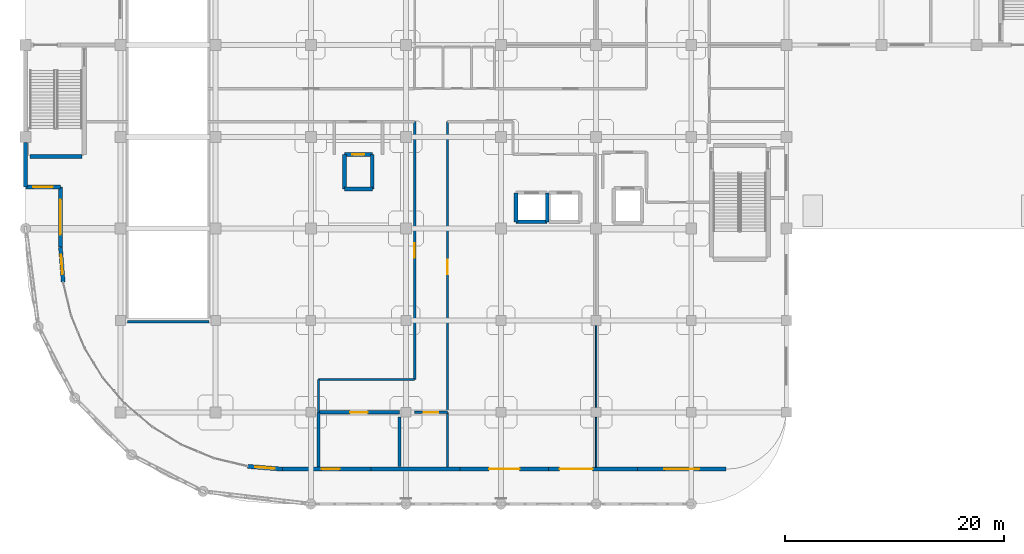
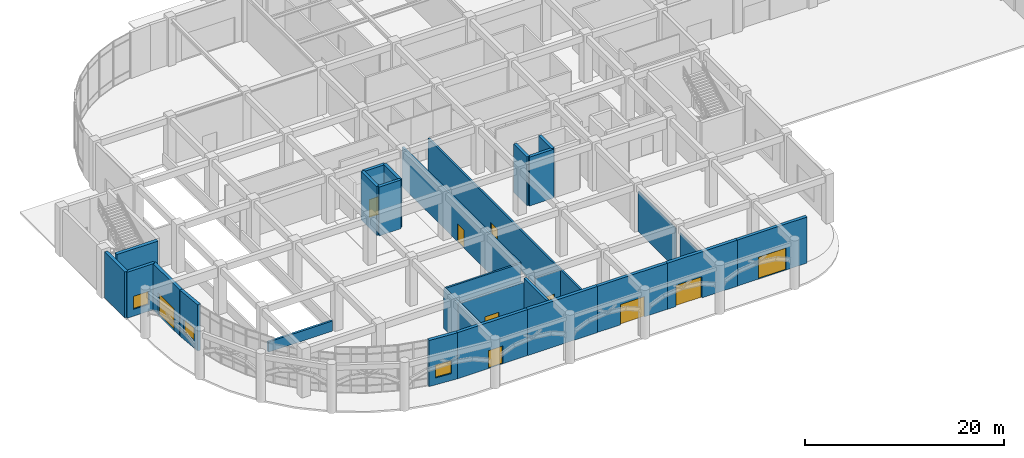
# One storey, part 60 of 82: 30 walls, 10 doors, 3 windows, 13 openings.
"""IFC4 building model written with IfcOpenShell, lengths in metres."""

from ifc_helpers import new_model, si_unit, derived_unit, direction, frame, frame_2d, origin, place, context, subcontext, project, spatial, rectangle, extrude, material, layer, layer_set, type_object, element, fill, save


model = new_model("IFC4")

# Units and contexts
model_context = context("Model", 3, precision=1e-05, world=origin(), true_north=direction((0.0, 1.0)))
body_context = subcontext(model_context, "Body", "Model", "MODEL_VIEW")
ifc_project = project(units=[si_unit("LENGTHUNIT", "METRE"), si_unit("AREAUNIT", "SQUARE_METRE"), si_unit("VOLUMEUNIT", "CUBIC_METRE"), si_unit("PLANEANGLEUNIT", "RADIAN"), si_unit("MASSUNIT", "GRAM", prefix="KILO"), derived_unit("THERMALTRANSMITTANCEUNIT", [(si_unit("MASSUNIT", "GRAM", prefix="KILO"), 1), (si_unit("TIMEUNIT", "SECOND"), -3), (si_unit("THERMODYNAMICTEMPERATUREUNIT", "KELVIN"), -1)])], contexts=[model_context])

# Site, building, storey
site_placement = place(None, origin())
site = spatial("IfcSite", under=ifc_project, at=site_placement, CompositionType="ELEMENT")
building_placement = place(site_placement, origin())
building = spatial("IfcBuilding", under=site, at=building_placement, Name="Qinzheling Arcade Emporium", CompositionType="ELEMENT")
storey_placement = place(building_placement, origin())
storey = spatial("IfcBuildingStorey", under=building, at=storey_placement, Name="L01", CompositionType="ELEMENT", Elevation=0.0)

# Walls
ifc_material_1 = material(Name="Double-stud acoustic gypsum board partition")
ifc_layer_1 = layer(ifc_material_1, 0.215087890625, Name="Double-stud acoustic gypsum board partition")
ifc_layer_set_1 = layer_set([ifc_layer_1], Name="Double-stud acoustic gypsum board partition")
wall_type_1 = type_object("IfcWallType", Name="Acoustic Corridor Partition Wall 215", PredefinedType="PARTITIONING", material=ifc_layer_set_1)
wall_1_placement = place(storey_placement, frame((26.800048828125, 8.39990234375, 0.0), z_axis=(0.0, 0.0, 1.0), x_axis=(0.0, 1.0, 0.0)))
element("IfcWall", 1, at=wall_1_placement, inside=storey, type_object=wall_type_1, Name="Interior Wall WL-L01-INT-0129", PredefinedType="PARTITIONING", context=body_context, shape_type="SweptSolid", body=[
    extrude(rectangle(XDim=3.0, YDim=0.215087890625, at=frame_2d((1.5, 0.0))), origin(), (0.0, 0.0, 1.0), 4.909912109375),
])
wall_2_placement = place(storey_placement, frame((26.800048828125, 11.39990234375, 0.0), z_axis=(0.0, 0.0, 1.0), x_axis=(1.0, 0.0, 0.0)))
element("IfcWall", 2, at=wall_2_placement, inside=storey, type_object=wall_type_1, Name="Interior Wall WL-L01-INT-0130", PredefinedType="PARTITIONING", context=body_context, shape_type="SweptSolid", body=[
    extrude(rectangle(XDim=8.800048828125, YDim=0.215087890625, at=frame_2d((4.39990234375, 0.0))), origin(), (0.0, 0.0, 1.0), 4.909912109375),
])

# Wall, opening, door
wall_3_placement = place(storey_placement, frame((35.60009765625, 11.39990234375, 0.0), z_axis=(0.0, 0.0, 1.0), x_axis=(0.0, 1.0, 0.0)))
wall_3 = element("IfcWall", 3, at=wall_3_placement, inside=storey, type_object=wall_type_1, Name="Interior Wall WL-L01-INT-0131", PredefinedType="PARTITIONING", context=body_context, shape_type="SweptSolid", body=[
    extrude(rectangle(XDim=23.580078125, YDim=0.215087890625, at=frame_2d((11.7900390625, 0.0))), origin(), (0.0, 0.0, 1.0), 4.909912109375),
])
opening_1_placement = place(wall_3_placement, frame((11.114990234375, 0.0, 0.0)))
opening_1 = element("IfcOpeningElement", 4, at=opening_1_placement, cuts=wall_3, Name="Opening FD05", PredefinedType="OPENING", context=body_context, shape_type="SweptSolid", body=[
    extrude(rectangle(XDim=1.35009765625, YDim=2.199951171875, at=frame_2d((0.675048828125, 1.10009765625))), frame((0.0, 0.11767578125, 0.0), z_axis=(0.0, -1.0, 0.0), x_axis=(1.0, 0.0, 0.0)), (0.0, 0.0, 1.0), 0.235107421875),
])
ifc_material_2 = material(Name="Class B fire-rated stainless-clad door")
door_type_1 = type_object("IfcDoorType", Name="Kitchen Fire-Rated Service Door 1350x2200", OperationType="NOTDEFINED", PredefinedType="DOOR", material=ifc_material_2)
door_1_placement = place(opening_1_placement, origin())
door_1 = element("IfcDoor", 5, at=door_1_placement, inside=storey, type_object=door_type_1, Name="FD05 Interior Door DR-L01-INT-0040", OperationType="SINGLE_SWING_LEFT", OverallHeight=2.199951171875, OverallWidth=1.35009765625, PredefinedType="DOOR", context=body_context, shape_type="SweptSolid", body=[
    extrude(rectangle(XDim=1.35009765625, YDim=2.199951171875, at=frame_2d((0.675048828125, 1.10009765625))), frame((0.0, 0.02490234375, 0.0), z_axis=(0.0, -1.0, 0.0), x_axis=(1.0, 0.0, 0.0)), (0.0, 0.0, 1.0), 0.050048828125),
])
fill(opening_1, door_1)

wall_4_placement = place(storey_placement, frame((38.60009765625, 34.97998046875, 0.0), z_axis=(0.0, 0.0, 1.0), x_axis=(0.0, -1.0, 0.0)))
wall_4 = element("IfcWall", 6, at=wall_4_placement, inside=storey, type_object=wall_type_1, Name="Interior Wall WL-L01-INT-0135", PredefinedType="PARTITIONING", context=body_context, shape_type="SweptSolid", body=[
    extrude(rectangle(XDim=26.580078125, YDim=0.215087890625, at=frame_2d((13.2900390625, 0.0))), origin(), (0.0, 0.0, 1.0), 4.909912109375),
])
opening_2_placement = place(wall_4_placement, frame((12.614990234375, 0.0, 0.0)))
opening_2 = element("IfcOpeningElement", 7, at=opening_2_placement, cuts=wall_4, Name="Opening FD05", PredefinedType="OPENING", context=body_context, shape_type="SweptSolid", body=[
    extrude(rectangle(XDim=1.35009765625, YDim=2.199951171875, at=frame_2d((0.675048828125, 1.10009765625))), frame((0.0, 0.11767578125, 0.0), z_axis=(0.0, -1.0, 0.0), x_axis=(1.0, 0.0, 0.0)), (0.0, 0.0, 1.0), 0.235107421875),
])
door_2_placement = place(opening_2_placement, origin())
door_2 = element("IfcDoor", 8, at=door_2_placement, inside=storey, type_object=door_type_1, Name="FD05 Interior Door DR-L01-INT-0041", OperationType="SINGLE_SWING_RIGHT", OverallHeight=2.199951171875, OverallWidth=1.35009765625, PredefinedType="DOOR", context=body_context, shape_type="SweptSolid", body=[
    extrude(rectangle(XDim=1.35009765625, YDim=2.199951171875, at=frame_2d((0.675048828125, 1.10009765625))), frame((0.0, 0.02490234375, 0.0), z_axis=(0.0, -1.0, 0.0), x_axis=(1.0, 0.0, 0.0)), (0.0, 0.0, 1.0), 0.050048828125),
])
fill(opening_2, door_2)

wall_5_placement = place(storey_placement, frame((38.60009765625, 8.39990234375, 0.0), z_axis=(0.0, 0.0, 1.0), x_axis=(-1.0, 0.0, 0.0)))
wall_5 = element("IfcWall", 9, at=wall_5_placement, inside=storey, type_object=wall_type_1, Name="Interior Wall WL-L01-INT-0217", PredefinedType="PARTITIONING", context=body_context, shape_type="SweptSolid", body=[
    extrude(rectangle(XDim=3.0, YDim=0.215087890625, at=frame_2d((1.5, 0.0))), origin(), (0.0, 0.0, 1.0), 4.909912109375),
])
opening_3_placement = place(wall_5_placement, frame((0.824951171875, 0.0, 0.0)))
opening_3 = element("IfcOpeningElement", 10, at=opening_3_placement, cuts=wall_5, Name="Opening FD05", PredefinedType="OPENING", context=body_context, shape_type="SweptSolid", body=[
    extrude(rectangle(XDim=1.35009765625, YDim=2.199951171875, at=frame_2d((0.675048828125, 1.10009765625))), frame((0.0, 0.11767578125, 0.0), z_axis=(0.0, -1.0, 0.0), x_axis=(1.0, 0.0, 0.0)), (0.0, 0.0, 1.0), 0.235107421875),
])
door_3_placement = place(opening_3_placement, origin())
door_3 = element("IfcDoor", 11, at=door_3_placement, inside=storey, type_object=door_type_1, Name="FD05 Interior Door DR-L01-INT-0074", OperationType="SINGLE_SWING_LEFT", OverallHeight=2.199951171875, OverallWidth=1.35009765625, PredefinedType="DOOR", context=body_context, shape_type="SweptSolid", body=[
    extrude(rectangle(XDim=1.35009765625, YDim=2.199951171875, at=frame_2d((0.675048828125, 1.10009765625))), frame((0.0, 0.02490234375, 0.0), z_axis=(0.0, -1.0, 0.0), x_axis=(1.0, 0.0, 0.0)), (0.0, 0.0, 1.0), 0.050048828125),
])
fill(opening_3, door_3)

# Wall
wall_6_placement = place(storey_placement, frame((38.60009765625, 3.39501953125, 0.0), z_axis=(0.0, 0.0, 1.0), x_axis=(0.0, 1.0, 0.0)))
element("IfcWall", 12, at=wall_6_placement, inside=storey, type_object=wall_type_1, Name="Interior Wall WL-L01-INT-0224", PredefinedType="PARTITIONING", context=body_context, shape_type="SweptSolid", body=[
    extrude(rectangle(XDim=5.0048828125, YDim=0.215087890625, at=frame_2d((2.50244140625, 0.0))), origin(), (0.0, 0.0, 1.0), 4.909912109375),
])

# Wall, opening, door
ifc_material_3 = material(Name="Glazed cream terracotta on Concrete C40", Category="masonry")
ifc_layer_2 = layer(ifc_material_3, 0.3798828125, Name="Glazed cream terracotta on Concrete C40", Category="masonry")
ifc_layer_set_2 = layer_set([ifc_layer_2], Name="Glazed cream terracotta on Concrete C40")
wall_type_2 = type_object("IfcWallType", Name="Glazed Cream Terracotta Structural Wall 380", PredefinedType="STANDARD", material=ifc_layer_set_2)
wall_7_placement = place(storey_placement, frame((55.97802734375, 3.199951171875, 0.0), z_axis=(0.0, 0.0, 1.0), x_axis=(-1.0, 0.0, 0.0)))
wall_7 = element("IfcWall", 13, at=wall_7_placement, inside=storey, type_object=wall_type_2, Name="Exterior Wall WL-L01-EW-0030", PredefinedType="STANDARD", context=body_context, shape_type="SweptSolid", body=[
    extrude(rectangle(XDim=8.115966796875, YDim=0.3798828125, at=frame_2d((4.05810546875, 0.0))), origin(), (0.0, 0.0, 1.0), 5.659912109375),
])
opening_4_placement = place(wall_7_placement, frame((4.10791015625, 0.0, 0.0)))
opening_4 = element("IfcOpeningElement", 14, at=opening_4_placement, cuts=wall_7, Name="Opening E03", PredefinedType="OPENING", context=body_context, shape_type="SweptSolid", body=[
    extrude(rectangle(XDim=3.0, YDim=2.60009765625, at=frame_2d((1.5, 1.300048828125))), frame((0.0, 0.199951171875, 0.0), z_axis=(0.0, -1.0, 0.0), x_axis=(1.0, 0.0, 0.0)), (0.0, 0.0, 1.0), 0.39990234375),
])
ifc_material_4 = material(Name="Anodised aluminium and tempered glass", Category="aluminium")
door_type_2 = type_object("IfcDoorType", Name="Boulevard Retail Entrance Door 3000x2600", OperationType="DOUBLE_DOOR_SINGLE_SWING", PredefinedType="DOOR", material=ifc_material_4)
door_4_placement = place(opening_4_placement, origin())
door_4 = element("IfcDoor", 15, at=door_4_placement, inside=storey, type_object=door_type_2, Name="E03 Exterior Door DR-L01-EXT-015", OperationType="DOUBLE_DOOR_SINGLE_SWING", OverallHeight=2.60009765625, OverallWidth=3.0, PredefinedType="DOOR", context=body_context, shape_type="SweptSolid", body=[
    extrude(rectangle(XDim=3.0, YDim=2.60009765625, at=frame_2d((1.5, 1.300048828125))), frame((0.0, 0.02490234375, 0.0), z_axis=(0.0, -1.0, 0.0), x_axis=(1.0, 0.0, 0.0)), (0.0, 0.0, 1.0), 0.050048828125),
])
fill(opening_4, door_4)

# Wall
wall_8_placement = place(storey_placement, frame((39.738037109375, 3.199951171875, 0.0), z_axis=(0.0, 0.0, 1.0), x_axis=(-1.0, 0.0, 0.0)))
element("IfcWall", 16, at=wall_8_placement, inside=storey, type_object=wall_type_2, Name="Exterior Wall WL-L01-EW-0032", PredefinedType="STANDARD", context=body_context, shape_type="SweptSolid", body=[
    extrude(rectangle(XDim=8.115966796875, YDim=0.3798828125, at=frame_2d((4.05810546875, 0.0))), origin(), (0.0, 0.0, 1.0), 5.659912109375),
])

# Wall, opening, window
wall_9_placement = place(storey_placement, frame((23.5, 3.199951171875, 0.0), z_axis=(0.0, 0.0, 1.0), x_axis=(-0.99691631769, 0.078472004713, 0.0)))
wall_9 = element("IfcWall", 17, at=wall_9_placement, inside=storey, type_object=wall_type_2, Name="Exterior Wall WL-L01-EW-0034", PredefinedType="STANDARD", context=body_context, shape_type="SweptSolid", body=[
    extrude(rectangle(XDim=3.185791015625, YDim=0.3798828125, at=frame_2d((1.5927734375, 0.0))), origin(), (0.0, 0.0, 1.0), 5.659912109375),
])
opening_5_placement = place(wall_9_placement, frame((0.693115234375, 0.0, 0.85009765625)))
opening_5 = element("IfcOpeningElement", 18, at=opening_5_placement, cuts=wall_9, Name="Opening WN62", PredefinedType="OPENING", context=body_context, shape_type="SweptSolid", body=[
    extrude(rectangle(XDim=1.800048828125, YDim=1.60009765625, at=frame_2d((0.89990234375, 0.800048828125))), frame((0.0, 0.199951171875, 0.0), z_axis=(0.0, -1.0, 0.0), x_axis=(1.0, 0.0, 0.0)), (0.0, 0.0, 1.0), 0.39990234375),
])
ifc_material_5 = material(Name="Thermally broken aluminium frame with solar-control double glazing", Category="aluminium")
window_type = type_object("IfcWindowType", Name="Chicago Tripartite Window 1800x1600", PartitioningType="TRIPLE_PANEL_VERTICAL", PredefinedType="WINDOW", material=ifc_material_5)
window_1_placement = place(opening_5_placement, origin())
window_1 = element("IfcWindow", 19, at=window_1_placement, inside=storey, type_object=window_type, Name="WN62 Window WN-L01-0005", OverallHeight=1.60009765625, OverallWidth=1.800048828125, PartitioningType="TRIPLE_PANEL_VERTICAL", PredefinedType="WINDOW", context=body_context, shape_type="SweptSolid", body=[
    extrude(rectangle(XDim=1.800048828125, YDim=1.60009765625, at=frame_2d((0.89990234375, 0.800048828125))), frame((0.0, 0.030029296875, 0.0), z_axis=(0.0, -1.0, 0.0), x_axis=(1.0, 0.0, 0.0)), (0.0, 0.0, 1.0), 0.06005859375),
])
fill(opening_5, window_1)

# Wall, opening, door
wall_10_placement = place(storey_placement, frame((3.199951171875, 23.5, 0.0), z_axis=(0.0, 0.0, 1.0), x_axis=(0.0, 1.0, 0.0)))
wall_10 = element("IfcWall", 20, at=wall_10_placement, inside=storey, type_object=wall_type_2, Name="Exterior Wall WL-L01-EW-0036", PredefinedType="STANDARD", context=body_context, shape_type="SweptSolid", body=[
    extrude(rectangle(XDim=5.5, YDim=0.3798828125, at=frame_2d((2.75, 0.0))), origin(), (0.0, 0.0, 1.0), 5.659912109375),
])
opening_6_placement = place(wall_10_placement, frame((1.14990234375, 0.0, 0.0)))
opening_6 = element("IfcOpeningElement", 21, at=opening_6_placement, cuts=wall_10, Name="Opening E02", PredefinedType="OPENING", context=body_context, shape_type="SweptSolid", body=[
    extrude(rectangle(XDim=3.199951171875, YDim=2.699951171875, at=frame_2d((1.60009765625, 1.35009765625))), frame((0.0, 0.199951171875, 0.0), z_axis=(0.0, -1.0, 0.0), x_axis=(1.0, 0.0, 0.0)), (0.0, 0.0, 1.0), 0.39990234375),
])
ifc_material_6 = material(Name="Cast bronze and laminated glass", Category="glass")
door_type_3 = type_object("IfcDoorType", Name="Forecourt Double Entrance Door 3200x2700", OperationType="DOUBLE_DOOR_SINGLE_SWING", PredefinedType="DOOR", material=ifc_material_6)
door_5_placement = place(opening_6_placement, origin())
door_5 = element("IfcDoor", 22, at=door_5_placement, inside=storey, type_object=door_type_3, Name="E02 Exterior Door DR-L01-EXT-018", OperationType="DOUBLE_DOOR_SINGLE_SWING", OverallHeight=2.699951171875, OverallWidth=3.199951171875, PredefinedType="DOOR", context=body_context, shape_type="SweptSolid", body=[
    extrude(rectangle(XDim=3.199951171875, YDim=2.699951171875, at=frame_2d((1.60009765625, 1.35009765625))), frame((0.0, 0.02490234375, 0.0), z_axis=(0.0, -1.0, 0.0), x_axis=(1.0, 0.0, 0.0)), (0.0, 0.0, 1.0), 0.050048828125),
])
fill(opening_6, door_5)

# Wall
wall_11_placement = place(storey_placement, frame((0.0, 29.0, 0.0), z_axis=(0.0, 0.0, 1.0), x_axis=(0.0, 1.0, 0.0)))
element("IfcWall", 23, at=wall_11_placement, inside=storey, type_object=wall_type_2, Name="Exterior Wall WL-L01-EW-0038", PredefinedType="STANDARD", context=body_context, shape_type="SweptSolid", body=[
    extrude(rectangle(XDim=4.097900390625, YDim=0.3798828125, at=frame_2d((2.048828125, 0.0))), origin(), (0.0, 0.0, 1.0), 5.659912109375),
])

# Wall, opening, door
ifc_layer_3 = layer(ifc_material_3, 0.360107421875, Name="Glazed cream terracotta on Concrete C40", Category="masonry")
ifc_layer_set_3 = layer_set([ifc_layer_3], Name="Glazed cream terracotta on Concrete C40")
wall_type_3 = type_object("IfcWallType", Name="Glazed Terracotta Pier Wall 360", PredefinedType="STANDARD", material=ifc_layer_set_3)
wall_12_placement = place(storey_placement, frame((64.10009765625, 3.199951171875, 0.0), z_axis=(0.0, 0.0, 1.0), x_axis=(-1.0, 0.0, 0.0)))
wall_12 = element("IfcWall", 24, at=wall_12_placement, inside=storey, type_object=wall_type_3, Name="Exterior Wall WL-L01-EW-0029", PredefinedType="STANDARD", context=body_context, shape_type="SweptSolid", body=[
    extrude(rectangle(XDim=8.1181640625, YDim=0.360107421875, at=frame_2d((4.05908203125, 0.0))), origin(), (0.0, 0.0, 1.0), 5.659912109375),
])
opening_7_placement = place(wall_12_placement, frame((2.458984375, 0.0, 0.0)))
opening_7 = element("IfcOpeningElement", 25, at=opening_7_placement, cuts=wall_12, Name="Opening E02", PredefinedType="OPENING", context=body_context, shape_type="SweptSolid", body=[
    extrude(rectangle(XDim=3.199951171875, YDim=2.699951171875, at=frame_2d((1.60009765625, 1.35009765625))), frame((0.0, 0.18994140625, 0.0), z_axis=(0.0, -1.0, 0.0), x_axis=(1.0, 0.0, 0.0)), (0.0, 0.0, 1.0), 0.380126953125),
])
door_6_placement = place(opening_7_placement, origin())
door_6 = element("IfcDoor", 26, at=door_6_placement, inside=storey, type_object=door_type_3, Name="E02 Exterior Door DR-L01-EXT-014", OperationType="DOUBLE_DOOR_SINGLE_SWING", OverallHeight=2.699951171875, OverallWidth=3.199951171875, PredefinedType="DOOR", context=body_context, shape_type="SweptSolid", body=[
    extrude(rectangle(XDim=3.199951171875, YDim=2.699951171875, at=frame_2d((1.60009765625, 1.35009765625))), frame((0.0, 0.02490234375, 0.0), z_axis=(0.0, -1.0, 0.0), x_axis=(1.0, 0.0, 0.0)), (0.0, 0.0, 1.0), 0.050048828125),
])
fill(opening_7, door_6)

wall_13_placement = place(storey_placement, frame((47.85791015625, 3.199951171875, 0.0), z_axis=(0.0, 0.0, 1.0), x_axis=(-1.0, 0.0, 0.0)))
wall_13 = element("IfcWall", 27, at=wall_13_placement, inside=storey, type_object=wall_type_3, Name="Exterior Wall WL-L01-EW-0031", PredefinedType="STANDARD", context=body_context, shape_type="SweptSolid", body=[
    extrude(rectangle(XDim=8.115966796875, YDim=0.360107421875, at=frame_2d((4.05810546875, 0.0))), origin(), (0.0, 0.0, 1.0), 5.659912109375),
])
opening_8_placement = place(wall_13_placement, frame((2.657958984375, 0.0, 0.0)))
opening_8 = element("IfcOpeningElement", 28, at=opening_8_placement, cuts=wall_13, Name="Opening E04", PredefinedType="OPENING", context=body_context, shape_type="SweptSolid", body=[
    extrude(rectangle(XDim=2.800048828125, YDim=2.5, at=frame_2d((1.39990234375, 1.25))), frame((0.0, 0.18994140625, 0.0), z_axis=(0.0, -1.0, 0.0), x_axis=(1.0, 0.0, 0.0)), (0.0, 0.0, 1.0), 0.380126953125),
])
door_type_4 = type_object("IfcDoorType", Name="Food Hall Court Entrance Door 2800x2500", OperationType="DOUBLE_DOOR_SINGLE_SWING", PredefinedType="DOOR", material=ifc_material_4)
door_7_placement = place(opening_8_placement, origin())
door_7 = element("IfcDoor", 29, at=door_7_placement, inside=storey, type_object=door_type_4, Name="E04 Exterior Door DR-L01-EXT-016", OperationType="DOUBLE_DOOR_SINGLE_SWING", OverallHeight=2.5, OverallWidth=2.800048828125, PredefinedType="DOOR", context=body_context, shape_type="SweptSolid", body=[
    extrude(rectangle(XDim=2.800048828125, YDim=2.5, at=frame_2d((1.39990234375, 1.25))), frame((0.0, 0.02490234375, 0.0), z_axis=(0.0, -1.0, 0.0), x_axis=(1.0, 0.0, 0.0)), (0.0, 0.0, 1.0), 0.050048828125),
])
fill(opening_8, door_7)

wall_14_placement = place(storey_placement, frame((31.617919921875, 3.199951171875, 0.0), z_axis=(0.0, 0.0, 1.0), x_axis=(-1.0, 0.0, 0.0)))
wall_14 = element("IfcWall", 30, at=wall_14_placement, inside=storey, type_object=wall_type_3, Name="Exterior Wall WL-L01-EW-0033", PredefinedType="STANDARD", context=body_context, shape_type="SweptSolid", body=[
    extrude(rectangle(XDim=8.117919921875, YDim=0.360107421875, at=frame_2d((4.05908203125, 0.0))), origin(), (0.0, 0.0, 1.0), 5.659912109375),
])
opening_9_placement = place(wall_14_placement, frame((2.884033203125, 0.0, 0.0)))
opening_9 = element("IfcOpeningElement", 31, at=opening_9_placement, cuts=wall_14, Name="Opening E06", PredefinedType="OPENING", context=body_context, shape_type="SweptSolid", body=[
    extrude(rectangle(XDim=1.64990234375, YDim=2.199951171875, at=frame_2d((0.824951171875, 1.10009765625))), frame((0.0, 0.18994140625, 0.0), z_axis=(0.0, -1.0, 0.0), x_axis=(1.0, 0.0, 0.0)), (0.0, 0.0, 1.0), 0.380126953125),
])
ifc_material_7 = material(Name="Fire-rated steel double door", Category="steel")
door_type_5 = type_object("IfcDoorType", Name="Fire Control Direct Street Door 1650x2200", OperationType="DOUBLE_DOOR_SINGLE_SWING", PredefinedType="DOOR", material=ifc_material_7)
door_8_placement = place(opening_9_placement, origin())
door_8 = element("IfcDoor", 32, at=door_8_placement, inside=storey, type_object=door_type_5, Name="E06 Exterior Door DR-L01-EXT-017", OperationType="DOUBLE_DOOR_SINGLE_SWING", OverallHeight=2.199951171875, OverallWidth=1.64990234375, PredefinedType="DOOR", context=body_context, shape_type="SweptSolid", body=[
    extrude(rectangle(XDim=1.64990234375, YDim=2.199951171875, at=frame_2d((0.824951171875, 1.10009765625))), frame((0.0, 0.02490234375, 0.0), z_axis=(0.0, -1.0, 0.0), x_axis=(1.0, 0.0, 0.0)), (0.0, 0.0, 1.0), 0.050048828125),
])
fill(opening_9, door_8)

# Wall, opening, window
wall_15_placement = place(storey_placement, frame((3.449951171875, 20.323974609375, 0.0), z_axis=(0.0, 0.0, 1.0), x_axis=(-0.078472004713, 0.99691631769, 0.0)))
wall_15 = element("IfcWall", 33, at=wall_15_placement, inside=storey, type_object=wall_type_3, Name="Exterior Wall WL-L01-EW-0035", PredefinedType="STANDARD", context=body_context, shape_type="SweptSolid", body=[
    extrude(rectangle(XDim=3.185791015625, YDim=0.360107421875, at=frame_2d((1.5927734375, 0.0))), origin(), (0.0, 0.0, 1.0), 5.659912109375),
])
opening_10_placement = place(wall_15_placement, frame((0.693115234375, 0.0, 0.85009765625)))
opening_10 = element("IfcOpeningElement", 34, at=opening_10_placement, cuts=wall_15, Name="Opening WN62", PredefinedType="OPENING", context=body_context, shape_type="SweptSolid", body=[
    extrude(rectangle(XDim=1.800048828125, YDim=1.60009765625, at=frame_2d((0.89990234375, 0.800048828125))), frame((0.0, 0.18994140625, 0.0), z_axis=(0.0, -1.0, 0.0), x_axis=(1.0, 0.0, 0.0)), (0.0, 0.0, 1.0), 0.380126953125),
])
window_2_placement = place(opening_10_placement, origin())
window_2 = element("IfcWindow", 35, at=window_2_placement, inside=storey, type_object=window_type, Name="WN62 Window WN-L01-0006", OverallHeight=1.60009765625, OverallWidth=1.800048828125, PartitioningType="TRIPLE_PANEL_VERTICAL", PredefinedType="WINDOW", context=body_context, shape_type="SweptSolid", body=[
    extrude(rectangle(XDim=1.800048828125, YDim=1.60009765625, at=frame_2d((0.89990234375, 0.800048828125))), frame((0.0, 0.030029296875, 0.0), z_axis=(0.0, -1.0, 0.0), x_axis=(1.0, 0.0, 0.0)), (0.0, 0.0, 1.0), 0.06005859375),
])
fill(opening_10, window_2)

wall_16_placement = place(storey_placement, frame((3.199951171875, 29.0, 0.0), z_axis=(0.0, 0.0, 1.0), x_axis=(-1.0, 0.0, 0.0)))
wall_16 = element("IfcWall", 36, at=wall_16_placement, inside=storey, type_object=wall_type_3, Name="Exterior Wall WL-L01-EW-0037", PredefinedType="STANDARD", context=body_context, shape_type="SweptSolid", body=[
    extrude(rectangle(XDim=3.199951171875, YDim=0.360107421875, at=frame_2d((1.60009765625, 0.0))), origin(), (0.0, 0.0, 1.0), 5.659912109375),
])
opening_11_placement = place(wall_16_placement, frame((0.699951171875, 0.0, 0.85009765625)))
opening_11 = element("IfcOpeningElement", 37, at=opening_11_placement, cuts=wall_16, Name="Opening WN62", PredefinedType="OPENING", context=body_context, shape_type="SweptSolid", body=[
    extrude(rectangle(XDim=1.800048828125, YDim=1.60009765625, at=frame_2d((0.89990234375, 0.800048828125))), frame((0.0, 0.18994140625, 0.0), z_axis=(0.0, -1.0, 0.0), x_axis=(1.0, 0.0, 0.0)), (0.0, 0.0, 1.0), 0.380126953125),
])
window_3_placement = place(opening_11_placement, origin())
window_3 = element("IfcWindow", 38, at=window_3_placement, inside=storey, type_object=window_type, Name="WN62 Window WN-L01-0007", OverallHeight=1.60009765625, OverallWidth=1.800048828125, PartitioningType="TRIPLE_PANEL_VERTICAL", PredefinedType="WINDOW", context=body_context, shape_type="SweptSolid", body=[
    extrude(rectangle(XDim=1.800048828125, YDim=1.60009765625, at=frame_2d((0.89990234375, 0.800048828125))), frame((0.0, 0.030029296875, 0.0), z_axis=(0.0, -1.0, 0.0), x_axis=(1.0, 0.0, 0.0)), (0.0, 0.0, 1.0), 0.06005859375),
])
fill(opening_11, window_3)

# Walls
ifc_material_8 = material(Name="Lightweight gypsum studio partition")
ifc_layer_4 = layer(ifc_material_8, 0.125, Name="Lightweight gypsum studio partition")
ifc_layer_set_4 = layer_set([ifc_layer_4], Name="Lightweight gypsum studio partition")
wall_type_4 = type_object("IfcWallType", Name="Merchandising Studio Partition Wall 125", PredefinedType="PARTITIONING", material=ifc_layer_set_4)
wall_17_placement = place(storey_placement, frame((52.199951171875, 16.340087890625, 0.0), z_axis=(0.0, 0.0, 1.0), x_axis=(0.0, -1.0, 0.0)))
element("IfcWall", 39, at=wall_17_placement, inside=storey, type_object=wall_type_4, Name="Interior Wall WL-L01-INT-0222", PredefinedType="PARTITIONING", context=body_context, shape_type="SweptSolid", body=[
    extrude(rectangle(XDim=7.47998046875, YDim=0.125, at=frame_2d((3.739990234375, 0.0))), origin(), (0.0, 0.0, 1.0), 4.909912109375),
])
wall_18_placement = place(storey_placement, frame((52.199951171875, 7.93994140625, 0.0), z_axis=(0.0, 0.0, 1.0), x_axis=(0.0, -1.0, 0.0)))
element("IfcWall", 40, at=wall_18_placement, inside=storey, type_object=wall_type_4, Name="Interior Wall WL-L01-INT-0223", PredefinedType="PARTITIONING", context=body_context, shape_type="SweptSolid", body=[
    extrude(rectangle(XDim=4.544921875, YDim=0.125, at=frame_2d((2.2724609375, 0.0))), origin(), (0.0, 0.0, 1.0), 4.909912109375),
])

# Wall, opening, door
ifc_material_9 = material(Name="Concrete C40", Category="concrete")
ifc_layer_5 = layer(ifc_material_9, 0.35009765625, Name="Concrete C40", Category="concrete")
ifc_layer_set_5 = layer_set([ifc_layer_5], Name="Concrete C40")
wall_type_5 = type_object("IfcWallType", Name="RC Lift Shaft Shear Wall 350 C40", PredefinedType="SHEAR", material=ifc_layer_set_5)
wall_19_placement = place(storey_placement, frame((29.175048828125, 31.97509765625, 0.0), z_axis=(0.0, 0.0, 1.0), x_axis=(1.0, 0.0, 0.0)))
wall_19 = element("IfcWall", 41, at=wall_19_placement, inside=storey, type_object=wall_type_5, Name="Lift Shaft Wall WL-L01-LFT-LF02-N", PredefinedType="SHEAR", context=body_context, shape_type="SweptSolid", body=[
    extrude(rectangle(XDim=2.550048828125, YDim=0.35009765625, at=frame_2d((1.27490234375, 0.0))), origin(), (0.0, 0.0, 1.0), 6.0),
])
opening_12_placement = place(wall_19_placement, frame((0.72509765625, 0.0, 0.0)))
opening_12 = element("IfcOpeningElement", 42, at=opening_12_placement, cuts=wall_19, Name="Opening LD01", PredefinedType="OPENING", context=body_context, shape_type="SweptSolid", body=[
    extrude(rectangle(XDim=1.10009765625, YDim=2.199951171875, at=frame_2d((0.550048828125, 1.10009765625))), frame((0.0, 0.18505859375, 0.0), z_axis=(0.0, -1.0, 0.0), x_axis=(1.0, 0.0, 0.0)), (0.0, 0.0, 1.0), 0.3701171875),
])
ifc_material_10 = material(Name="Fire-rated stainless steel sliding lift door", Category="steel")
door_type_6 = type_object("IfcDoorType", Name="Firefighting Lift Sliding Landing Door 1100x2200", OperationType="DOUBLE_DOOR_SLIDING", PredefinedType="DOOR", material=ifc_material_10)
door_9_placement = place(opening_12_placement, origin())
door_9 = element("IfcDoor", 43, at=door_9_placement, inside=storey, type_object=door_type_6, Name="LD01 Lift Landing Door LF02 L01", OperationType="DOUBLE_DOOR_SLIDING", OverallHeight=2.199951171875, OverallWidth=1.10009765625, PredefinedType="DOOR", context=body_context, shape_type="SweptSolid", body=[
    extrude(rectangle(XDim=1.10009765625, YDim=2.199951171875, at=frame_2d((0.550048828125, 1.10009765625))), frame((0.0, 0.02490234375, 0.0), z_axis=(0.0, -1.0, 0.0), x_axis=(1.0, 0.0, 0.0)), (0.0, 0.0, 1.0), 0.050048828125),
])
fill(opening_12, door_9)

# Walls
wall_20_placement = place(storey_placement, frame((31.72509765625, 28.824951171875, 0.0), z_axis=(0.0, 0.0, 1.0), x_axis=(-1.0, 0.0, 0.0)))
element("IfcWall", 44, at=wall_20_placement, inside=storey, type_object=wall_type_5, Name="Lift Shaft Wall WL-L01-LFT-LF02-S", PredefinedType="SHEAR", context=body_context, shape_type="SweptSolid", body=[
    extrude(rectangle(XDim=2.550048828125, YDim=0.35009765625, at=frame_2d((1.27490234375, 0.0))), origin(), (0.0, 0.0, 1.0), 6.0),
])
for number, where, z_axis, x_axis, name in (
    (45, (29.175048828125, 28.824951171875, 0.0), (0.0, 0.0, 1.0), (0.0, 1.0, 0.0), "Lift Shaft Wall WL-L01-LFT-LF02-W"),
    (46, (31.72509765625, 31.97509765625, 0.0), (0.0, 0.0, 1.0), (0.0, -1.0, 0.0), "Lift Shaft Wall WL-L01-LFT-LF02-E"),
):
    element("IfcWall", number, at=place(storey_placement, frame(where, z_axis=z_axis, x_axis=x_axis)), inside=storey, type_object=wall_type_5, Name=name, PredefinedType="SHEAR", context=body_context, shape_type="SweptSolid", body=[
        extrude(rectangle(XDim=3.150146484375, YDim=0.35009765625, at=frame_2d((1.5751953125, 0.0))), origin(), (0.0, 0.0, 1.0), 6.0),
    ])
wall_21_placement = place(storey_placement, frame((47.72509765625, 25.824951171875, 0.0), z_axis=(0.0, 0.0, 1.0), x_axis=(-1.0, 0.0, 0.0)))
element("IfcWall", 47, at=wall_21_placement, inside=storey, type_object=wall_type_5, Name="Lift Shaft Wall WL-L01-LFT-LP01-S", PredefinedType="SHEAR", context=body_context, shape_type="SweptSolid", body=[
    extrude(rectangle(XDim=2.85009765625, YDim=0.35009765625, at=frame_2d((1.425048828125, 0.0))), origin(), (0.0, 0.0, 1.0), 6.0),
])
for number, where, z_axis, x_axis, name in (
    (48, (44.875, 25.824951171875, 0.0), (0.0, 0.0, 1.0), (0.0, 1.0, 0.0), "Lift Shaft Wall WL-L01-LFT-LP01-W"),
    (49, (47.72509765625, 28.47509765625, 0.0), (0.0, 0.0, 1.0), (0.0, -1.0, 0.0), "Lift Shaft Wall WL-L01-LFT-LP01-E"),
):
    element("IfcWall", number, at=place(storey_placement, frame(where, z_axis=z_axis, x_axis=x_axis)), inside=storey, type_object=wall_type_5, Name=name, PredefinedType="SHEAR", context=body_context, shape_type="SweptSolid", body=[
        extrude(rectangle(XDim=2.650146484375, YDim=0.35009765625, at=frame_2d((1.3251953125, 0.0))), origin(), (0.0, 0.0, 1.0), 6.0),
    ])
ifc_material_11 = material(Name="Concrete C50", Category="concrete")
ifc_layer_6 = layer(ifc_material_11, 0.39990234375, Name="Concrete C50", Category="concrete")
ifc_layer_set_6 = layer_set([ifc_layer_6], Name="Concrete C50")
wall_type_6 = type_object("IfcWallType", Name="RC Stair Core Shear Wall 400 C50", PredefinedType="SHEAR", material=ifc_layer_set_6)
wall_22_placement = place(storey_placement, frame((5.18994140625, 31.800048828125, 0.0), z_axis=(0.0, 0.0, 1.0), x_axis=(-1.0, 0.0, 0.0)))
element("IfcWall", 50, at=wall_22_placement, inside=storey, type_object=wall_type_6, Name="Stair Core Wall WL-L01-ST02-SOUTH", PredefinedType="SHEAR", context=body_context, shape_type="SweptSolid", body=[
    extrude(rectangle(XDim=4.7900390625, YDim=0.39990234375, at=frame_2d((2.39501953125, 0.0))), origin(), (0.0, 0.0, 1.0), 6.0),
])
ifc_layer_7 = layer(ifc_material_9, 0.235107421875, Name="Concrete C40", Category="concrete")
ifc_layer_set_7 = layer_set([ifc_layer_7], Name="Concrete C40")
wall_type_7 = type_object("IfcWallType", Name="Ramp Opening Protective Curb Wall 235", PredefinedType="PARTITIONING", material=ifc_layer_set_7)
wall_23_placement = place(storey_placement, frame((9.320068359375, 16.679931640625, 0.0), z_axis=(0.0, 0.0, 1.0), x_axis=(1.0, 0.0, 0.0)))
element("IfcWall", 51, at=wall_23_placement, inside=storey, type_object=wall_type_7, Name="Ramp Void Protective Wall WL-L01-RMPCURB-RAMP-VR1-S", PredefinedType="PARTITIONING", context=body_context, shape_type="SweptSolid", body=[
    extrude(rectangle(XDim=7.4599609375, YDim=0.235107421875, at=frame_2d((3.72998046875, 0.0))), origin(), (0.0, 0.0, 1.0), 1.25),
])

# Wall, opening, door
ifc_material_12 = material(Name="Autoclaved aerated concrete masonry with fire plaster", Category="masonry")
ifc_layer_8 = layer(ifc_material_12, 0.284912109375, Name="Autoclaved aerated concrete masonry with fire plaster", Category="masonry")
ifc_layer_set_8 = layer_set([ifc_layer_8], Name="Autoclaved aerated concrete masonry with fire plaster")
wall_type_8 = type_object("IfcWallType", Name="Stockroom and Plant Fire Wall 285", PredefinedType="STANDARD", material=ifc_layer_set_8)
wall_24_placement = place(storey_placement, frame((26.800048828125, 8.39990234375, 0.0), z_axis=(0.0, 0.0, 1.0), x_axis=(1.0, 0.0, 0.0)))
wall_24 = element("IfcWall", 52, at=wall_24_placement, inside=storey, type_object=wall_type_8, Name="Interior Wall WL-L01-INT-0106", PredefinedType="STANDARD", context=body_context, shape_type="SweptSolid", body=[
    extrude(rectangle(XDim=7.39990234375, YDim=0.284912109375, at=frame_2d((3.699951171875, 0.0))), origin(), (0.0, 0.0, 1.0), 4.909912109375),
])
opening_13_placement = place(wall_24_placement, frame((2.89990234375, 0.0, 0.0)))
opening_13 = element("IfcOpeningElement", 53, at=opening_13_placement, cuts=wall_24, Name="Opening FD04", PredefinedType="OPENING", context=body_context, shape_type="SweptSolid", body=[
    extrude(rectangle(XDim=1.60009765625, YDim=2.25, at=frame_2d((0.800048828125, 1.125))), frame((0.0, 0.15234375, 0.0), z_axis=(0.0, -1.0, 0.0), x_axis=(1.0, 0.0, 0.0)), (0.0, 0.0, 1.0), 0.304931640625),
])
ifc_material_13 = material(Name="Class A fire-rated steel double door", Category="steel")
door_type_7 = type_object("IfcDoorType", Name="Plant Room Fire Door 1600x2250", OperationType="DOUBLE_DOOR_SINGLE_SWING", PredefinedType="DOOR", material=ifc_material_13)
door_10_placement = place(opening_13_placement, origin())
door_10 = element("IfcDoor", 54, at=door_10_placement, inside=storey, type_object=door_type_7, Name="FD04 Interior Door DR-L01-INT-0033", OperationType="DOUBLE_DOOR_SINGLE_SWING", OverallHeight=2.25, OverallWidth=1.60009765625, PredefinedType="DOOR", context=body_context, shape_type="SweptSolid", body=[
    extrude(rectangle(XDim=1.60009765625, YDim=2.25, at=frame_2d((0.800048828125, 1.125))), frame((0.0, 0.02490234375, 0.0), z_axis=(0.0, -1.0, 0.0), x_axis=(1.0, 0.0, 0.0)), (0.0, 0.0, 1.0), 0.050048828125),
])
fill(opening_13, door_10)

# Walls
wall_25_placement = place(storey_placement, frame((26.800048828125, 3.385009765625, 0.0), z_axis=(0.0, 0.0, 1.0), x_axis=(0.0, 1.0, 0.0)))
element("IfcWall", 55, at=wall_25_placement, inside=storey, type_object=wall_type_8, Name="Interior Wall WL-L01-INT-0107", PredefinedType="STANDARD", context=body_context, shape_type="SweptSolid", body=[
    extrude(rectangle(XDim=5.014892578125, YDim=0.284912109375, at=frame_2d((2.50732421875, 0.0))), origin(), (0.0, 0.0, 1.0), 4.909912109375),
])
wall_26_placement = place(storey_placement, frame((34.199951171875, 7.969970703125, 0.0), z_axis=(0.0, 0.0, 1.0), x_axis=(0.0, -1.0, 0.0)))
element("IfcWall", 56, at=wall_26_placement, inside=storey, type_object=wall_type_8, Name="Interior Wall WL-L01-INT-0268", PredefinedType="STANDARD", context=body_context, shape_type="SweptSolid", body=[
    extrude(rectangle(XDim=4.550048828125, YDim=0.284912109375, at=frame_2d((2.27490234375, 0.0))), origin(), (0.0, 0.0, 1.0), 5.659912109375),
])

save(model, "model.ifc")
